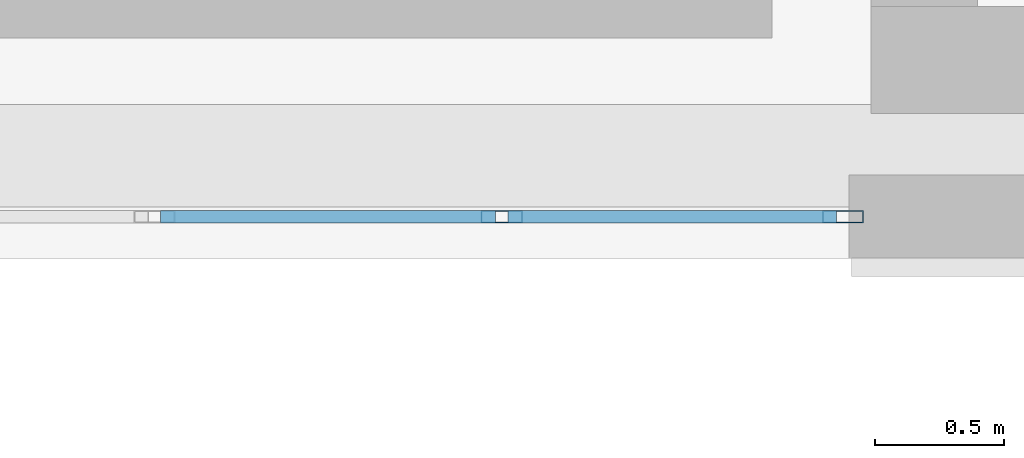
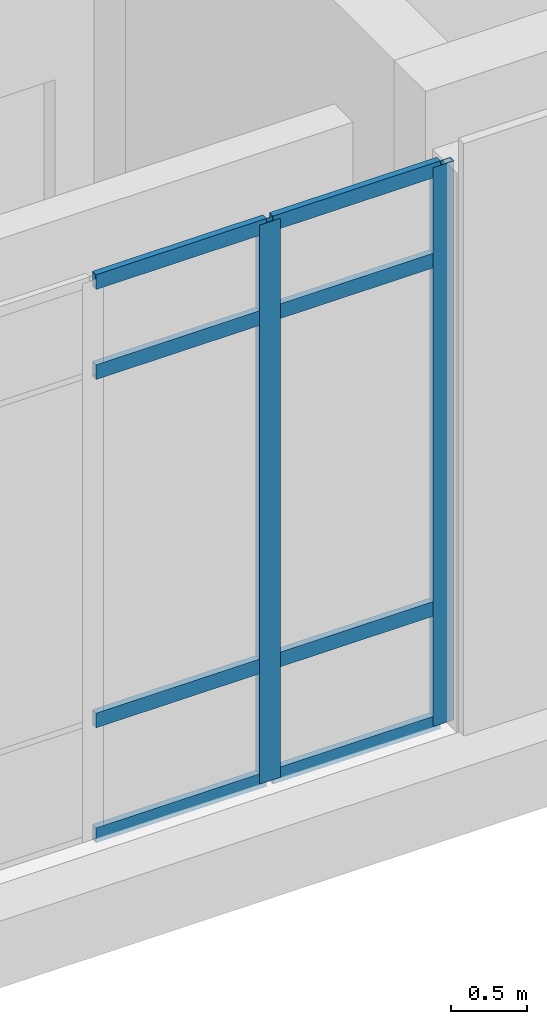
# One storey, part 58 of 189: 10 members, 1 element without a shape of its own.
"""IFC4 building model written with IfcOpenShell, lengths in metres."""

from ifc_helpers import new_model, si_unit, direction, frame, origin, origin_2d, place, context, subcontext, project, spatial, hollow_rectangle, extrude, material, layer, layer_set, material_profile, profile_set, type_object, element, aggregate, save


model = new_model("IFC4")

# Units and contexts
model_context = context("Model", 3, precision=1e-05, world=origin(), true_north=direction((0.0, 1.0)))
body_context = subcontext(model_context, "Body", "Model", "MODEL_VIEW")
ifc_project = project(units=[si_unit("LENGTHUNIT", "METRE"), si_unit("AREAUNIT", "SQUARE_METRE"), si_unit("VOLUMEUNIT", "CUBIC_METRE"), si_unit("PLANEANGLEUNIT", "RADIAN"), si_unit("MASSUNIT", "GRAM", prefix="KILO")], contexts=[model_context])

# Site, building, storey
site_placement = place(None, origin())
site = spatial("IfcSite", under=ifc_project, at=site_placement, CompositionType="ELEMENT")
building_placement = place(site_placement, origin())
building = spatial("IfcBuilding", under=site, at=building_placement, Name="Qalavern Law Courts", CompositionType="ELEMENT")
storey_placement = place(building_placement, frame((0.0, 0.0, 5.39990234375)))
storey = spatial("IfcBuildingStorey", under=building, at=storey_placement, Name="L01", CompositionType="ELEMENT", Elevation=5.39990234375)

# Curtain wall, members
ifc_material_1 = material(Name="Anodised aluminium and insulated glazing", Category="aluminium")
ifc_layer = layer(ifc_material_1, 0.172119140625)
ifc_layer_set = layer_set([ifc_layer], Name="Anodised aluminium and insulated glazing")
curtain_wall_type = type_object("IfcCurtainWallType", Name="ENV-CW-COURT", PredefinedType="USERDEFINED", material=ifc_layer_set)
curtain_wall_placement = place(storey_placement, origin())
curtain_wall = element("IfcCurtainWall", 1, at=curtain_wall_placement, inside=storey, type_object=curtain_wall_type, Name="V4 unitised curtain wall L01 south 1", ObjectType="UNITISED CURTAIN WALL", PredefinedType="USERDEFINED")
ifc_material_2 = material(Name="Anodised aluminium", Category="aluminium")
ifc_material_profile_1 = material_profile(ifc_material_2, hollow_rectangle(XDim=0.048095703125, YDim=0.159912109375, WallThickness=0.00390625, at=origin_2d()), Name="ALU MULLION 48x160")
ifc_profile_set_1 = profile_set([ifc_material_profile_1], Name="Anodised aluminium")
member_type_1 = type_object("IfcMemberType", Name="ENV-CWM-48x160", PredefinedType="MULLION", material=ifc_profile_set_1)
member_1_placement = place(storey_placement, frame((96.35009765625, 41.1826171875, 0.0), z_axis=(0.0, 0.0, 1.0), x_axis=(0.0, 1.0, 0.0)))
member_1 = element("IfcMember", 2, at=member_1_placement, type_object=member_type_1, Name="CW-03 mullion 4", PredefinedType="MULLION", context=body_context, shape_type="SweptSolid", body=[
    extrude(hollow_rectangle(XDim=0.048095703125, YDim=0.159912109375, WallThickness=0.00390625, at=origin_2d()), origin(), (0.0, 0.0, 1.0), 4.510009765625),
])
member_2_placement = place(storey_placement, frame((97.676025390625, 41.1826171875, 0.0), z_axis=(0.0, 0.0, 1.0), x_axis=(0.0, 1.0, 0.0)))
member_2 = element("IfcMember", 3, at=member_2_placement, type_object=member_type_1, Name="CW-03 mullion 5", PredefinedType="MULLION", context=body_context, shape_type="SweptSolid", body=[
    extrude(hollow_rectangle(XDim=0.048095703125, YDim=0.159912109375, WallThickness=0.00390625, at=origin_2d()), origin(), (0.0, 0.0, 1.0), 4.510009765625),
])
ifc_material_profile_2 = material_profile(ifc_material_2, hollow_rectangle(XDim=0.048095703125, YDim=0.1201171875, WallThickness=0.00390625, at=origin_2d()), Name="ALU TRANSOM 48x120")
ifc_profile_set_2 = profile_set([ifc_material_profile_2], Name="Anodised aluminium")
member_type_2 = type_object("IfcMemberType", Name="ENV-CWT-48x120", PredefinedType="USERDEFINED", material=ifc_profile_set_2)
member_3_placement = place(storey_placement, frame((95.02392578125, 41.1826171875, 0.024169921875), z_axis=(1.0, 0.0, 0.0), x_axis=(0.0, 1.0, 0.0)))
member_3 = element("IfcMember", 4, at=member_3_placement, type_object=member_type_2, Name="CW-03 transom 3.1", ObjectType="TRANSOM", PredefinedType="USERDEFINED", context=body_context, shape_type="SweptSolid", body=[
    extrude(hollow_rectangle(XDim=0.048095703125, YDim=0.1201171875, WallThickness=0.00390625, at=origin_2d()), origin(), (0.0, 0.0, 1.0), 1.302001953125),
])
member_4_placement = place(storey_placement, frame((95.02392578125, 41.1826171875, 0.9501953125), z_axis=(1.0, 0.0, 0.0), x_axis=(0.0, 1.0, 0.0)))
member_4 = element("IfcMember", 5, at=member_4_placement, type_object=member_type_2, Name="CW-03 transom 3.2", ObjectType="TRANSOM", PredefinedType="USERDEFINED", context=body_context, shape_type="SweptSolid", body=[
    extrude(hollow_rectangle(XDim=0.048095703125, YDim=0.1201171875, WallThickness=0.00390625, at=origin_2d()), origin(), (0.0, 0.0, 1.0), 1.302001953125),
])
member_5_placement = place(storey_placement, frame((95.02392578125, 41.1826171875, 3.760009765625), z_axis=(1.0, 0.0, 0.0), x_axis=(0.0, 1.0, 0.0)))
member_5 = element("IfcMember", 6, at=member_5_placement, type_object=member_type_2, Name="CW-03 transom 3.3", ObjectType="TRANSOM", PredefinedType="USERDEFINED", context=body_context, shape_type="SweptSolid", body=[
    extrude(hollow_rectangle(XDim=0.048095703125, YDim=0.1201171875, WallThickness=0.00390625, at=origin_2d()), origin(), (0.0, 0.0, 1.0), 1.302001953125),
])
member_6_placement = place(storey_placement, frame((95.02392578125, 41.1826171875, 4.486083984375), z_axis=(1.0, 0.0, 0.0), x_axis=(0.0, 1.0, 0.0)))
member_6 = element("IfcMember", 7, at=member_6_placement, type_object=member_type_2, Name="CW-03 transom 3.4", ObjectType="TRANSOM", PredefinedType="USERDEFINED", context=body_context, shape_type="SweptSolid", body=[
    extrude(hollow_rectangle(XDim=0.048095703125, YDim=0.1201171875, WallThickness=0.00390625, at=origin_2d()), origin(), (0.0, 0.0, 1.0), 1.302001953125),
])
member_7_placement = place(storey_placement, frame((96.3740234375, 41.1826171875, 0.024169921875), z_axis=(1.0, 0.0, 0.0), x_axis=(0.0, 1.0, 0.0)))
member_7 = element("IfcMember", 8, at=member_7_placement, type_object=member_type_2, Name="CW-03 transom 4.1", ObjectType="TRANSOM", PredefinedType="USERDEFINED", context=body_context, shape_type="SweptSolid", body=[
    extrude(hollow_rectangle(XDim=0.048095703125, YDim=0.1201171875, WallThickness=0.00390625, at=origin_2d()), origin(), (0.0, 0.0, 1.0), 1.278076171875),
])
member_8_placement = place(storey_placement, frame((96.3740234375, 41.1826171875, 0.9501953125), z_axis=(1.0, 0.0, 0.0), x_axis=(0.0, 1.0, 0.0)))
member_8 = element("IfcMember", 9, at=member_8_placement, type_object=member_type_2, Name="CW-03 transom 4.2", ObjectType="TRANSOM", PredefinedType="USERDEFINED", context=body_context, shape_type="SweptSolid", body=[
    extrude(hollow_rectangle(XDim=0.048095703125, YDim=0.1201171875, WallThickness=0.00390625, at=origin_2d()), origin(), (0.0, 0.0, 1.0), 1.278076171875),
])
member_9_placement = place(storey_placement, frame((96.3740234375, 41.1826171875, 3.760009765625), z_axis=(1.0, 0.0, 0.0), x_axis=(0.0, 1.0, 0.0)))
member_9 = element("IfcMember", 10, at=member_9_placement, type_object=member_type_2, Name="CW-03 transom 4.3", ObjectType="TRANSOM", PredefinedType="USERDEFINED", context=body_context, shape_type="SweptSolid", body=[
    extrude(hollow_rectangle(XDim=0.048095703125, YDim=0.1201171875, WallThickness=0.00390625, at=origin_2d()), origin(), (0.0, 0.0, 1.0), 1.278076171875),
])
member_10_placement = place(storey_placement, frame((96.3740234375, 41.1826171875, 4.486083984375), z_axis=(1.0, 0.0, 0.0), x_axis=(0.0, 1.0, 0.0)))
member_10 = element("IfcMember", 11, at=member_10_placement, type_object=member_type_2, Name="CW-03 transom 4.4", ObjectType="TRANSOM", PredefinedType="USERDEFINED", context=body_context, shape_type="SweptSolid", body=[
    extrude(hollow_rectangle(XDim=0.048095703125, YDim=0.1201171875, WallThickness=0.00390625, at=origin_2d()), origin(), (0.0, 0.0, 1.0), 1.278076171875),
])
aggregate(curtain_wall, [member_1, member_2, member_3, member_4, member_5, member_6, member_7, member_8, member_9, member_10])

save(model, "model.ifc")
